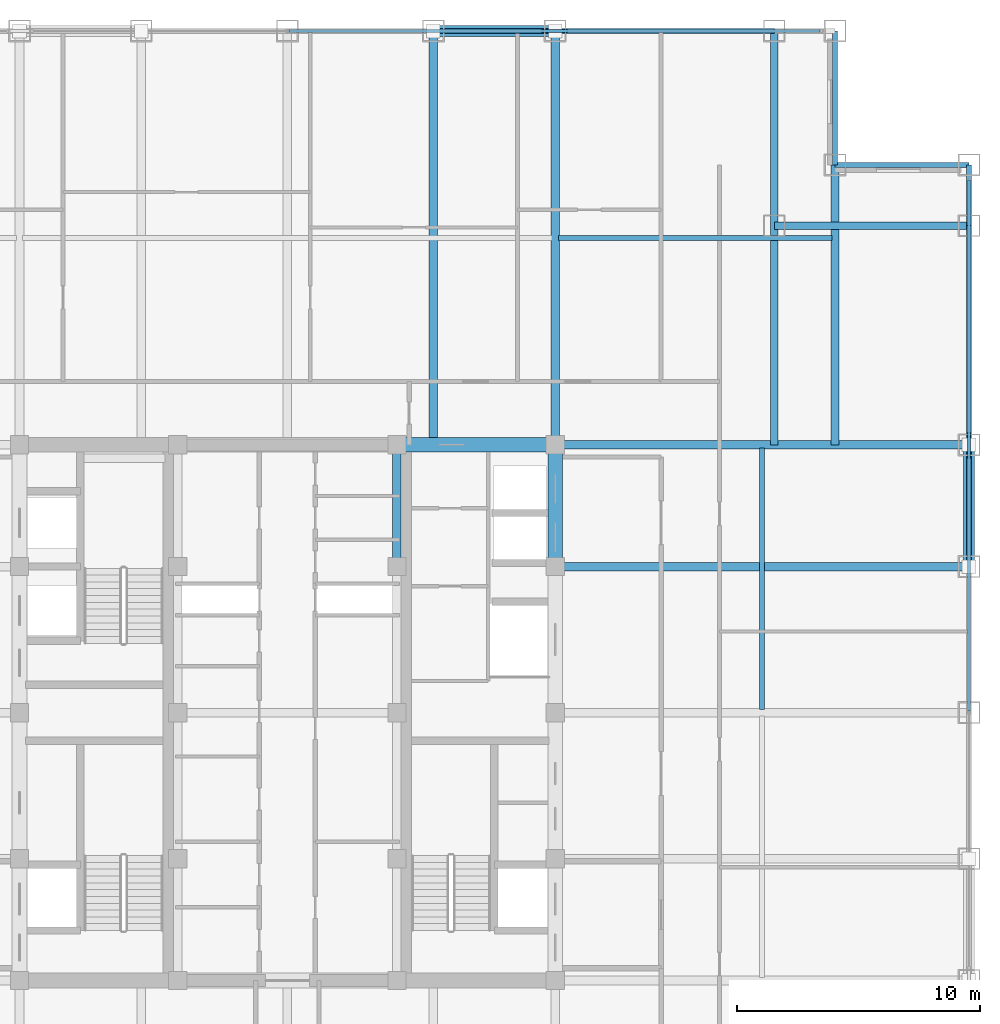
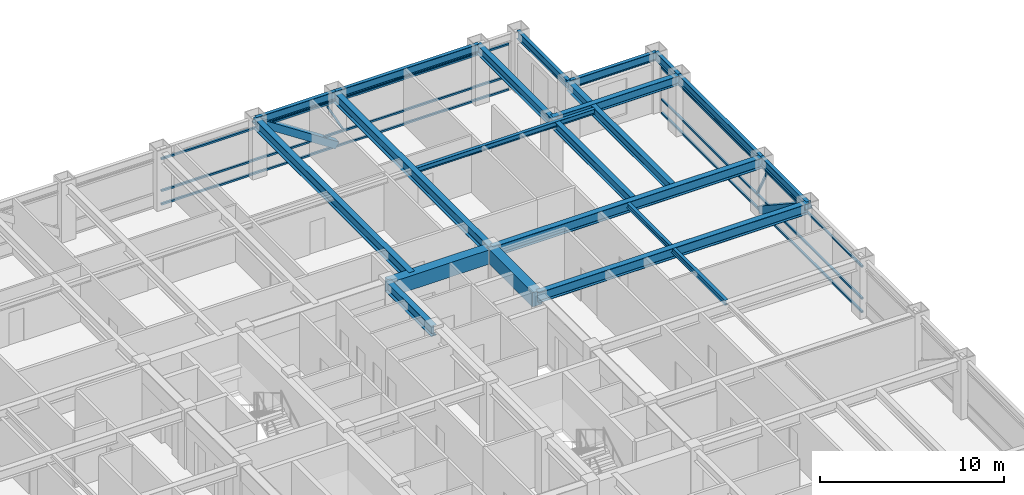
# One storey, part 15 of 22: 19 beams, 10 members, 2 elements without a shape of their own.
"""IFC4 building model written with IfcOpenShell, lengths in metres."""

from ifc_helpers import new_model, si_unit, direction, frame, origin, origin_2d, place, context, subcontext, project, spatial, rectangle, hollow_rectangle, i_section, extrude, source, transform, mapped, material, material_profile, profile_set, type_object, element, aggregate, save


model = new_model("IFC4")

# Units and contexts
model_context = context("Model", 3, precision=1e-05, world=origin(), true_north=direction((0.0, 1.0)))
body_context = subcontext(model_context, "Body", "Model", "MODEL_VIEW")
ifc_project = project(units=[si_unit("LENGTHUNIT", "METRE"), si_unit("AREAUNIT", "SQUARE_METRE"), si_unit("VOLUMEUNIT", "CUBIC_METRE"), si_unit("PLANEANGLEUNIT", "RADIAN"), si_unit("MASSUNIT", "GRAM", prefix="KILO")], contexts=[model_context])

# Site, building, storey
site_placement = place(None, origin())
site = spatial("IfcSite", under=ifc_project, at=site_placement, CompositionType="ELEMENT")
building_placement = place(site_placement, origin())
building = spatial("IfcBuilding", under=site, at=building_placement, Name="Khorayat Bourse Tower", CompositionType="ELEMENT")
storey_placement = place(building_placement, frame((0.0, 0.0, 309.5)))
storey = spatial("IfcBuildingStorey", under=building, at=storey_placement, Name="L73", CompositionType="ELEMENT", Elevation=309.5)

# Beams
ifc_material_1 = material(Name="Steel ASTM A992 Grade 50", Category="steel")
ifc_material_profile_1 = material_profile(ifc_material_1, i_section(OverallWidth=0.35498046875, OverallDepth=0.695068359375, WebThickness=0.015380859375, FlangeThickness=0.02490234375, FilletRadius=0.01806640625, at=origin_2d()), Name="W690X217")
ifc_profile_set_1 = profile_set([ifc_material_profile_1], Name="Steel ASTM A992 Grade 50")
beam_type_1 = type_object("IfcBeamType", Name="BM-GIRD-690", PredefinedType="BEAM", material=ifc_profile_set_1)
shared_shape_1 = source(origin(), body_context, "Body", "SweptSolid", [
    extrude(i_section(OverallWidth=0.35498046875, OverallDepth=0.695068359375, WebThickness=0.015380859375, FlangeThickness=0.02490234375, FilletRadius=0.01806640625, at=origin_2d()), origin(), (0.0, 0.0, 1.0), 5.0),
])
beam_1_placement = place(storey_placement, frame((4.5, 6.0, 3.4326171875), z_axis=(0.0, 1.0, 0.0), x_axis=(-1.0, 0.0, 0.0)))
element("IfcBeam", 1, at=beam_1_placement, inside=storey, type_object=beam_type_1, Name="L73 BM-GIRD-690 BM-L73-CRX-12", PredefinedType="BEAM", context=body_context, shape_type="MappedRepresentation", body=[
    mapped(shared_shape_1, transform((0.0, 0.0, 0.0), scale=1.0)),
])
ifc_material_profile_2 = material_profile(ifc_material_1, i_section(OverallWidth=0.324951171875, OverallDepth=0.615966796875, WebThickness=0.013916015625, FlangeThickness=0.021484375, FilletRadius=0.01611328125, at=origin_2d()), Name="W610X174")
ifc_profile_set_2 = profile_set([ifc_material_profile_2], Name="Steel ASTM A992 Grade 50")
beam_type_2 = type_object("IfcBeamType", Name="BM-GIRD-610", PredefinedType="BEAM", material=ifc_profile_set_2)
shared_shape_2 = source(origin(), body_context, "Body", "SweptSolid", [
    extrude(i_section(OverallWidth=0.324951171875, OverallDepth=0.615966796875, WebThickness=0.013916015625, FlangeThickness=0.021484375, FilletRadius=0.01611328125, at=origin_2d()), origin(), (0.0, 0.0, 1.0), 17.0),
])
beam_2_placement = place(storey_placement, frame((20.0, 11.0, 3.471923828125), z_axis=(0.0, 1.0, 0.0), x_axis=(-1.0, 0.0, 0.0)))
element("IfcBeam", 2, at=beam_2_placement, inside=storey, type_object=beam_type_2, Name="L73 BM-GIRD-610 BM-L73-CNRY-087", PredefinedType="BEAM", context=body_context, shape_type="MappedRepresentation", body=[
    mapped(shared_shape_2, transform((0.0, 0.0, 0.0), scale=1.0)),
])
ifc_material_2 = material(Name="Concrete C60/75", Category="concrete")
ifc_material_profile_3 = material_profile(ifc_material_2, rectangle(XDim=0.60009765625, YDim=0.949951171875, at=origin_2d()), Name="RC 600x950")
ifc_profile_set_3 = profile_set([ifc_material_profile_3], Name="Concrete C60/75")
beam_type_3 = type_object("IfcBeamType", Name="BM-COUP-950", PredefinedType="BEAM", material=ifc_profile_set_3)
shared_shape_3 = source(origin(), body_context, "Body", "SweptSolid", [
    extrude(rectangle(XDim=0.60009765625, YDim=0.949951171875, at=origin_2d()), origin(), (0.0, 0.0, 1.0), 5.0),
])
beam_3_placement = place(storey_placement, frame((11.0, 6.0, 3.304931640625), z_axis=(0.0, 1.0, 0.0), x_axis=(-1.0, 0.0, 0.0)))
element("IfcBeam", 3, at=beam_3_placement, inside=storey, type_object=beam_type_3, Name="L73 BM-COUP-950 BM-L73-CRX-16", PredefinedType="BEAM", context=body_context, shape_type="MappedRepresentation", body=[
    mapped(shared_shape_3, transform((0.0, 0.0, 0.0), scale=1.0)),
])
shared_shape_4 = source(origin(), body_context, "Body", "SweptSolid", [
    extrude(rectangle(XDim=0.60009765625, YDim=0.949951171875, at=origin_2d()), origin(), (0.0, 0.0, 1.0), 6.5),
])
beam_4_placement = place(storey_placement, frame((4.5, 11.0, 3.304931640625), z_axis=(1.0, 0.0, 0.0), x_axis=(0.0, 1.0, 0.0)))
element("IfcBeam", 4, at=beam_4_placement, inside=storey, type_object=beam_type_3, Name="L73 BM-COUP-950 BM-L73-CRY-22", PredefinedType="BEAM", context=body_context, shape_type="MappedRepresentation", body=[
    mapped(shared_shape_4, transform((0.0, 0.0, 0.0), scale=1.0)),
])

# Members
ifc_material_3 = material(Name="Steel EN 10025-4 S460M", Category="steel")
ifc_material_profile_4 = material_profile(ifc_material_3, hollow_rectangle(XDim=0.449951171875, YDim=0.449951171875, WallThickness=0.02490234375, at=origin_2d()), Name="HSS 450x450x25")
ifc_profile_set_4 = profile_set([ifc_material_profile_4], Name="Steel EN 10025-4 S460M")
member_type_1 = type_object("IfcMemberType", Name="MBR-TUBE-450", PredefinedType="BRACE", material=ifc_profile_set_4)
shared_shape_5 = source(origin(), body_context, "Body", "SweptSolid", [
    extrude(hollow_rectangle(XDim=0.449951171875, YDim=0.449951171875, WallThickness=0.02490234375, at=origin_2d()), origin(), (0.0, 0.0, 1.0), 5.979736328125),
])
for number, where, z_axis, x_axis, name in (
    (5, (6.0, 28.0, 3.530029296875), (0.836141536525, 0.0, -0.548513747227), (0.0, 1.0, 0.0), "L73 Perimeter Tube Brace 04"),
    (6, (28.0, 6.0, 3.530029296875), (0.0, 0.836141536525, -0.548513747227), (-1.0, 0.0, 0.0), "L73 Perimeter Tube Brace 08"),
):
    element("IfcMember", number, at=place(storey_placement, frame(where, z_axis=z_axis, x_axis=x_axis)), inside=storey, type_object=member_type_1, Name=name, PredefinedType="BRACE", context=body_context, shape_type="MappedRepresentation", body=[
        mapped(shared_shape_5, transform((0.0, 0.0, 0.0), scale=1.0)),
    ])

# Beams
shared_shape_6 = source(origin(), body_context, "Body", "SweptSolid", [
    extrude(i_section(OverallWidth=0.35498046875, OverallDepth=0.695068359375, WebThickness=0.015380859375, FlangeThickness=0.02490234375, FilletRadius=0.01806640625, at=origin_2d()), origin(), (0.0, 0.0, 1.0), 17.0),
])
for number, where, z_axis, x_axis, name in (
    (7, (6.0, 11.0, 3.4326171875), (0.0, 1.0, 0.0), (-1.0, 0.0, 0.0), "L73 BM-GIRD-690 BM-L73-RADY-070"),
    (8, (11.0, 11.0, 3.4326171875), (0.0, 1.0, 0.0), (-1.0, 0.0, 0.0), "L73 BM-GIRD-690 BM-L73-RADY-072"),
    (9, (11.0, 6.0, 3.4326171875), (1.0, 0.0, 0.0), (0.0, 1.0, 0.0), "L73 BM-GIRD-690 BM-L73-RADX-080"),
    (10, (11.0, 11.0, 3.4326171875), (1.0, 0.0, 0.0), (0.0, 1.0, 0.0), "L73 BM-GIRD-690 BM-L73-RADX-082"),
):
    element("IfcBeam", number, at=place(storey_placement, frame(where, z_axis=z_axis, x_axis=x_axis)), inside=storey, type_object=beam_type_1, Name=name, PredefinedType="BEAM", context=body_context, shape_type="MappedRepresentation", body=[
        mapped(shared_shape_6, transform((0.0, 0.0, 0.0), scale=1.0)),
    ])
shared_shape_7 = source(origin(), body_context, "Body", "SweptSolid", [
    extrude(i_section(OverallWidth=0.324951171875, OverallDepth=0.615966796875, WebThickness=0.013916015625, FlangeThickness=0.021484375, FilletRadius=0.01611328125, at=origin_2d()), origin(), (0.0, 0.0, 1.0), 11.5),
])
beam_5_placement = place(storey_placement, frame((22.5, 11.0, 3.471923828125), z_axis=(0.0, 1.0, 0.0), x_axis=(-1.0, 0.0, 0.0)))
element("IfcBeam", 11, at=beam_5_placement, inside=storey, type_object=beam_type_2, Name="L73 BM-GIRD-610 BM-L73-CNRY-091", PredefinedType="BEAM", context=body_context, shape_type="MappedRepresentation", body=[
    mapped(shared_shape_7, transform((0.0, 0.0, 0.0), scale=1.0)),
])
shared_shape_8 = source(origin(), body_context, "Body", "SweptSolid", [
    extrude(i_section(OverallWidth=0.324951171875, OverallDepth=0.615966796875, WebThickness=0.013916015625, FlangeThickness=0.021484375, FilletRadius=0.01611328125, at=origin_2d()), origin(), (0.0, 0.0, 1.0), 8.0),
])
beam_6_placement = place(storey_placement, frame((20.0, 20.0, 3.471923828125), z_axis=(1.0, 0.0, 0.0), x_axis=(0.0, 1.0, 0.0)))
element("IfcBeam", 12, at=beam_6_placement, inside=storey, type_object=beam_type_2, Name="L73 BM-GIRD-610 BM-L73-CNRX-094", PredefinedType="BEAM", context=body_context, shape_type="MappedRepresentation", body=[
    mapped(shared_shape_8, transform((0.0, 0.0, 0.0), scale=1.0)),
])
ifc_material_profile_5 = material_profile(ifc_material_1, i_section(OverallWidth=0.202880859375, OverallDepth=0.346923828125, WebThickness=0.0078125, FlangeThickness=0.013427734375, FilletRadius=0.010009765625, at=origin_2d()), Name="W360X64")
ifc_profile_set_5 = profile_set([ifc_material_profile_5], Name="Steel ASTM A992 Grade 50")
beam_type_4 = type_object("IfcBeamType", Name="BM-JOIST-360", PredefinedType="JOIST", material=ifc_profile_set_5)
shared_shape_9 = source(origin(), body_context, "Body", "SweptSolid", [
    extrude(i_section(OverallWidth=0.202880859375, OverallDepth=0.346923828125, WebThickness=0.0078125, FlangeThickness=0.013427734375, FilletRadius=0.010009765625, at=origin_2d()), origin(), (0.0, 0.0, 1.0), 11.240234375),
])
beam_7_placement = place(storey_placement, frame((11.1298828125, 19.5, 3.6064453125), z_axis=(1.0, 0.0, 0.0), x_axis=(0.0, 1.0, 0.0)))
element("IfcBeam", 13, at=beam_7_placement, inside=storey, type_object=beam_type_4, Name="L73 BM-JOIST-360 BM-L73-JSTX-101", PredefinedType="JOIST", context=body_context, shape_type="MappedRepresentation", body=[
    mapped(shared_shape_9, transform((0.0, 0.0, 0.0), scale=1.0)),
])
shared_shape_10 = source(origin(), body_context, "Body", "SweptSolid", [
    extrude(i_section(OverallWidth=0.202880859375, OverallDepth=0.346923828125, WebThickness=0.0078125, FlangeThickness=0.013427734375, FilletRadius=0.010009765625, at=origin_2d()), origin(), (0.0, 0.0, 1.0), 10.740234375),
])
beam_8_placement = place(storey_placement, frame((19.5, 0.1298828125, 3.6064453125), z_axis=(0.0, 1.0, 0.0), x_axis=(-1.0, 0.0, 0.0)))
element("IfcBeam", 14, at=beam_8_placement, inside=storey, type_object=beam_type_4, Name="L73 BM-JOIST-360 BM-L73-JSTY-105", PredefinedType="JOIST", context=body_context, shape_type="MappedRepresentation", body=[
    mapped(shared_shape_10, transform((0.0, 0.0, 0.0), scale=1.0)),
])
ifc_material_profile_6 = material_profile(ifc_material_1, i_section(OverallWidth=0.214111328125, OverallDepth=0.549072265625, WebThickness=0.0146484375, FlangeThickness=0.023681640625, FilletRadius=0.013916015625, at=origin_2d()), Name="W530X138")
ifc_profile_set_6 = profile_set([ifc_material_profile_6], Name="Steel ASTM A992 Grade 50")
beam_type_5 = type_object("IfcBeamType", Name="BM-SPAN-530", PredefinedType="SPANDREL", material=ifc_profile_set_6)
shared_shape_11 = source(origin(), body_context, "Body", "SweptSolid", [
    extrude(i_section(OverallWidth=0.214111328125, OverallDepth=0.549072265625, WebThickness=0.0146484375, FlangeThickness=0.023681640625, FilletRadius=0.013916015625, at=origin_2d()), origin(), (0.0, 0.0, 1.0), 2.5),
])
beam_9_placement = place(storey_placement, frame((28.0, 20.0, 3.505615234375), z_axis=(0.0, 1.0, 0.0), x_axis=(-1.0, 0.0, 0.0)))
element("IfcBeam", 15, at=beam_9_placement, inside=storey, type_object=beam_type_5, Name="L73 BM-SPAN-530 BM-L73-SPN-041", PredefinedType="SPANDREL", context=body_context, shape_type="MappedRepresentation", body=[
    mapped(shared_shape_11, transform((0.0, 0.0, 0.0), scale=1.0)),
])
shared_shape_12 = source(origin(), body_context, "Body", "SweptSolid", [
    extrude(i_section(OverallWidth=0.214111328125, OverallDepth=0.549072265625, WebThickness=0.0146484375, FlangeThickness=0.023681640625, FilletRadius=0.013916015625, at=origin_2d()), origin(), (0.0, 0.0, 1.0), 9.0),
])
for number, where, z_axis, x_axis, name in (
    (16, (28.0, 11.0, 3.505615234375), (0.0, 1.0, 0.0), (-1.0, 0.0, 0.0), "L73 BM-SPAN-530 BM-L73-SPN-040"),
    (17, (11.0, 28.0, 3.505615234375), (1.0, 0.0, 0.0), (0.0, 1.0, 0.0), "L73 BM-SPAN-530 BM-L73-SPN-045"),
):
    element("IfcBeam", number, at=place(storey_placement, frame(where, z_axis=z_axis, x_axis=x_axis)), inside=storey, type_object=beam_type_5, Name=name, PredefinedType="SPANDREL", context=body_context, shape_type="MappedRepresentation", body=[
        mapped(shared_shape_12, transform((0.0, 0.0, 0.0), scale=1.0)),
    ])
shared_shape_13 = source(origin(), body_context, "Body", "SweptSolid", [
    extrude(i_section(OverallWidth=0.214111328125, OverallDepth=0.549072265625, WebThickness=0.0146484375, FlangeThickness=0.023681640625, FilletRadius=0.013916015625, at=origin_2d()), origin(), (0.0, 0.0, 1.0), 5.0),
])
for number, where, z_axis, x_axis, name in (
    (18, (28.0, 6.0, 3.505615234375), (0.0, 1.0, 0.0), (-1.0, 0.0, 0.0), "L73 BM-SPAN-530 BM-L73-SPN-039"),
    (19, (6.0, 28.0, 3.505615234375), (1.0, 0.0, 0.0), (0.0, 1.0, 0.0), "L73 BM-SPAN-530 BM-L73-SPN-046"),
):
    element("IfcBeam", number, at=place(storey_placement, frame(where, z_axis=z_axis, x_axis=x_axis)), inside=storey, type_object=beam_type_5, Name=name, PredefinedType="SPANDREL", context=body_context, shape_type="MappedRepresentation", body=[
        mapped(shared_shape_13, transform((0.0, 0.0, 0.0), scale=1.0)),
    ])
shared_shape_14 = source(origin(), body_context, "Body", "SweptSolid", [
    extrude(i_section(OverallWidth=0.214111328125, OverallDepth=0.549072265625, WebThickness=0.0146484375, FlangeThickness=0.023681640625, FilletRadius=0.013916015625, at=origin_2d()), origin(), (0.0, 0.0, 1.0), 5.5),
])
for number, where, z_axis, x_axis, name in (
    (20, (22.5, 22.5, 3.505615234375), (1.0, 0.0, 0.0), (0.0, 1.0, 0.0), "L73 BM-SPAN-530 BM-L73-SPN-042"),
    (21, (22.5, 22.5, 3.505615234375), (0.0, 1.0, 0.0), (-1.0, 0.0, 0.0), "L73 BM-SPAN-530 BM-L73-SPN-043"),
):
    element("IfcBeam", number, at=place(storey_placement, frame(where, z_axis=z_axis, x_axis=x_axis)), inside=storey, type_object=beam_type_5, Name=name, PredefinedType="SPANDREL", context=body_context, shape_type="MappedRepresentation", body=[
        mapped(shared_shape_14, transform((0.0, 0.0, 0.0), scale=1.0)),
    ])

# Curtain wall, member
ifc_material_4 = material(Name="Aluminium EN AW-6063 T6", Category="aluminium")
curtain_wall_type = type_object("IfcCurtainWallType", Name="CW-SYS-04", PredefinedType="NOTDEFINED", material=ifc_material_4)
curtain_wall_1_placement = place(storey_placement, origin())
curtain_wall_1 = element("IfcCurtainWall", 22, at=curtain_wall_1_placement, inside=storey, type_object=curtain_wall_type, Name="L73 Curtain Wall CW-L73-N1", PredefinedType="NOTDEFINED")
ifc_material_profile_7 = material_profile(ifc_material_4, hollow_rectangle(XDim=0.1201171875, YDim=0.1201171875, WallThickness=0.0048828125, at=origin_2d()), Name="ALU 120x120x5")
ifc_profile_set_7 = profile_set([ifc_material_profile_7], Name="Aluminium EN AW-6063 T6")
member_type_2 = type_object("IfcMemberType", Name="CWM-DIAG-120", PredefinedType="MULLION", material=ifc_profile_set_7)
shared_shape_15 = source(origin(), body_context, "Body", "SweptSolid", [
    extrude(hollow_rectangle(XDim=0.1201171875, YDim=0.1201171875, WallThickness=0.0048828125, at=origin_2d()), origin(), (0.0, 0.0, 1.0), 2.0791015625),
])
member_1_placement = place(storey_placement, frame((11.4541015625, 28.0, 1.090087890625), z_axis=(-0.465717394116, 0.0, 0.884933505309), x_axis=(0.0, -1.0, 0.0)))
member_1 = element("IfcMember", 23, at=member_1_placement, type_object=member_type_2, Name="CW-L73-N1 Faceted Diagonal Mullion 2", PredefinedType="MULLION", context=body_context, shape_type="MappedRepresentation", body=[
    mapped(shared_shape_15, transform((0.0, 0.0, 0.0), scale=1.0)),
])

curtain_wall_2_placement = place(storey_placement, origin())
curtain_wall_2 = element("IfcCurtainWall", 24, at=curtain_wall_2_placement, inside=storey, type_object=curtain_wall_type, Name="L73 Curtain Wall CW-L73-E1", PredefinedType="NOTDEFINED")
member_2_placement = place(storey_placement, frame((28.0, 11.4541015625, 1.090087890625), z_axis=(0.0, -0.465717394116, 0.884933505309), x_axis=(1.0, 0.0, 0.0)))
member_2 = element("IfcMember", 25, at=member_2_placement, type_object=member_type_2, Name="CW-L73-E1 Faceted Diagonal Mullion 2", PredefinedType="MULLION", context=body_context, shape_type="MappedRepresentation", body=[
    mapped(shared_shape_15, transform((0.0, 0.0, 0.0), scale=1.0)),
])

# Member
ifc_material_profile_8 = material_profile(ifc_material_4, hollow_rectangle(XDim=0.1201171875, YDim=0.1201171875, WallThickness=0.0048828125, at=origin_2d()), Name="ALU 120x120x5")
ifc_profile_set_8 = profile_set([ifc_material_profile_8], Name="Aluminium EN AW-6063 T6")
member_type_3 = type_object("IfcMemberType", Name="CWT-HORZ-120", PredefinedType="USERDEFINED", material=ifc_profile_set_8)
shared_shape_16 = source(origin(), body_context, "Body", "SweptSolid", [
    extrude(hollow_rectangle(XDim=0.1201171875, YDim=0.1201171875, WallThickness=0.0048828125, at=origin_2d()), origin(), (0.0, 0.0, 1.0), 21.81982421875),
])
member_3_placement = place(storey_placement, frame((0.06005859375, 28.0, 0.06005859375), z_axis=(1.0, 0.0, 0.0), x_axis=(0.0, 1.0, 0.0)))
member_3 = element("IfcMember", 26, at=member_3_placement, type_object=member_type_3, Name="CW-L73-N1 Horizontal Transom 2-1", ObjectType="TRANSOM", PredefinedType="USERDEFINED", context=body_context, shape_type="MappedRepresentation", body=[
    mapped(shared_shape_16, transform((0.0, 0.0, 0.0), scale=1.0)),
])

member_4_placement = place(storey_placement, frame((0.06005859375, 28.0, 0.949951171875), z_axis=(1.0, 0.0, 0.0), x_axis=(0.0, 1.0, 0.0)))
member_4 = element("IfcMember", 27, at=member_4_placement, type_object=member_type_3, Name="CW-L73-N1 Horizontal Transom 2-2", ObjectType="TRANSOM", PredefinedType="USERDEFINED", context=body_context, shape_type="MappedRepresentation", body=[
    mapped(shared_shape_16, transform((0.0, 0.0, 0.0), scale=1.0)),
])

member_5_placement = place(storey_placement, frame((0.06005859375, 28.0, 3.070068359375), z_axis=(1.0, 0.0, 0.0), x_axis=(0.0, 1.0, 0.0)))
member_5 = element("IfcMember", 28, at=member_5_placement, type_object=member_type_3, Name="CW-L73-N1 Horizontal Transom 2-3", ObjectType="TRANSOM", PredefinedType="USERDEFINED", context=body_context, shape_type="MappedRepresentation", body=[
    mapped(shared_shape_16, transform((0.0, 0.0, 0.0), scale=1.0)),
])

aggregate(curtain_wall_1, [member_3, member_4, member_5, member_1])

member_6_placement = place(storey_placement, frame((28.0, 0.06005859375, 0.06005859375), z_axis=(0.0, 1.0, 0.0), x_axis=(-1.0, 0.0, 0.0)))
member_6 = element("IfcMember", 29, at=member_6_placement, type_object=member_type_3, Name="CW-L73-E1 Horizontal Transom 2-1", ObjectType="TRANSOM", PredefinedType="USERDEFINED", context=body_context, shape_type="MappedRepresentation", body=[
    mapped(shared_shape_16, transform((0.0, 0.0, 0.0), scale=1.0)),
])

member_7_placement = place(storey_placement, frame((28.0, 0.06005859375, 0.949951171875), z_axis=(0.0, 1.0, 0.0), x_axis=(-1.0, 0.0, 0.0)))
member_7 = element("IfcMember", 30, at=member_7_placement, type_object=member_type_3, Name="CW-L73-E1 Horizontal Transom 2-2", ObjectType="TRANSOM", PredefinedType="USERDEFINED", context=body_context, shape_type="MappedRepresentation", body=[
    mapped(shared_shape_16, transform((0.0, 0.0, 0.0), scale=1.0)),
])

member_8_placement = place(storey_placement, frame((28.0, 0.06005859375, 3.070068359375), z_axis=(0.0, 1.0, 0.0), x_axis=(-1.0, 0.0, 0.0)))
member_8 = element("IfcMember", 31, at=member_8_placement, type_object=member_type_3, Name="CW-L73-E1 Horizontal Transom 2-3", ObjectType="TRANSOM", PredefinedType="USERDEFINED", context=body_context, shape_type="MappedRepresentation", body=[
    mapped(shared_shape_16, transform((0.0, 0.0, 0.0), scale=1.0)),
])

aggregate(curtain_wall_2, [member_6, member_7, member_8, member_2])

save(model, "model.ifc")
